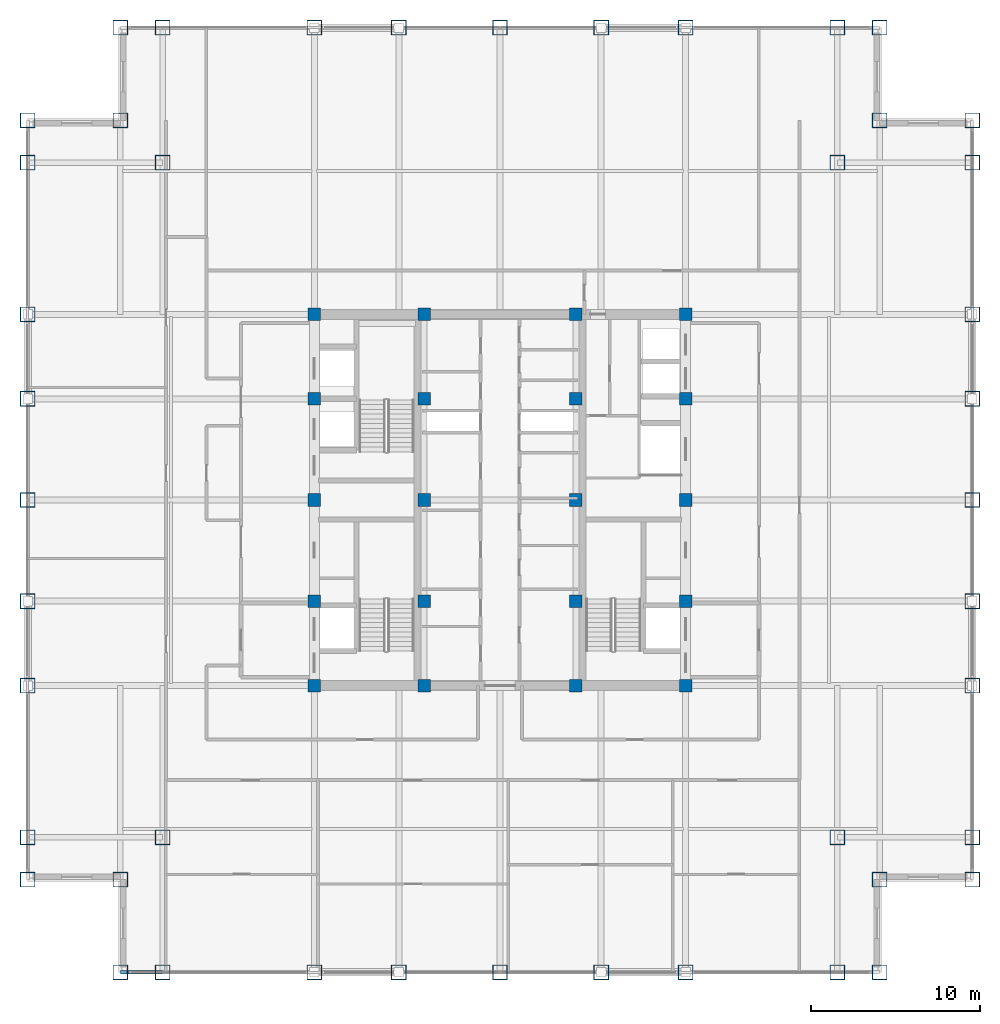
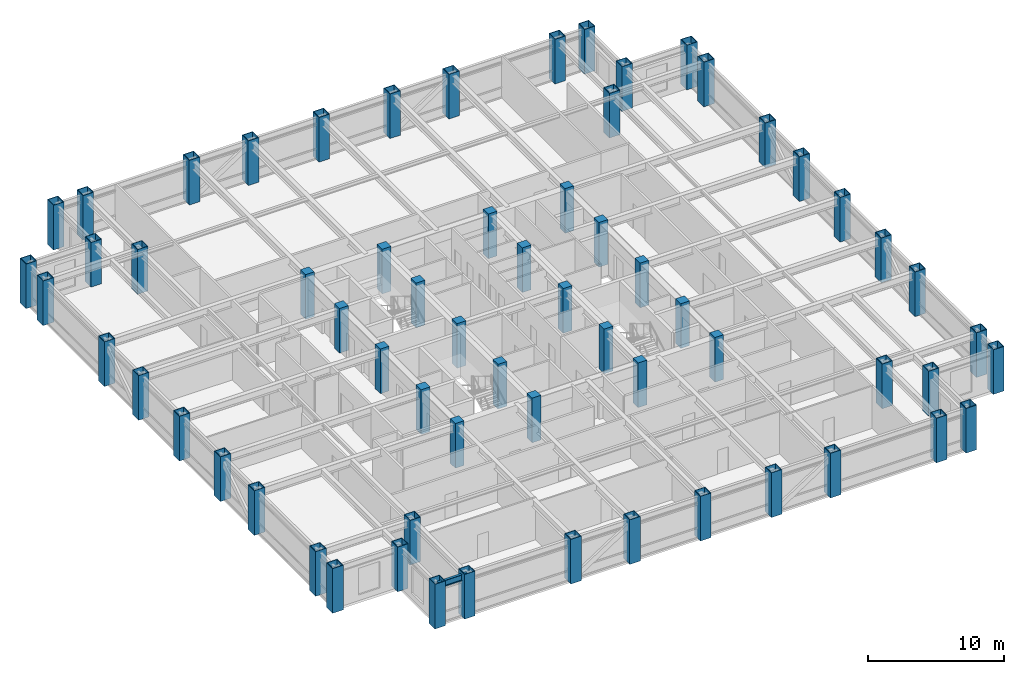
# One storey, part 1 of 22: 64 columns, 1 beam.
"""IFC4 building model written with IfcOpenShell, lengths in metres."""

from ifc_helpers import new_model, si_unit, direction, frame, origin, origin_2d, place, context, subcontext, project, spatial, rectangle, hollow_rectangle, i_section, extrude, source, transform, mapped, material, material_profile, profile_set, type_object, element, save


model = new_model("IFC4")

# Units and contexts
model_context = context("Model", 3, precision=1e-05, world=origin(), true_north=direction((0.0, 1.0)))
body_context = subcontext(model_context, "Body", "Model", "MODEL_VIEW")
ifc_project = project(units=[si_unit("LENGTHUNIT", "METRE"), si_unit("AREAUNIT", "SQUARE_METRE"), si_unit("VOLUMEUNIT", "CUBIC_METRE"), si_unit("PLANEANGLEUNIT", "RADIAN"), si_unit("MASSUNIT", "GRAM", prefix="KILO")], contexts=[model_context])

# Site, building, storey
site_placement = place(None, origin())
site = spatial("IfcSite", under=ifc_project, at=site_placement, CompositionType="ELEMENT")
building_placement = place(site_placement, origin())
building = spatial("IfcBuilding", under=site, at=building_placement, Name="Khorayat Bourse Tower", CompositionType="ELEMENT")
storey_placement = place(building_placement, frame((0.0, 0.0, 293.5)))
storey = spatial("IfcBuildingStorey", under=building, at=storey_placement, Name="L69", CompositionType="ELEMENT", Elevation=293.5)

# Columns
ifc_material_1 = material(Name="Steel EN 10025-4 S460M", Category="steel")
ifc_material_profile_1 = material_profile(ifc_material_1, hollow_rectangle(XDim=0.89990234375, YDim=0.89990234375, WallThickness=0.050048828125, at=origin_2d()), Name="BOX 900x900x50")
ifc_profile_set_1 = profile_set([ifc_material_profile_1], Name="Steel EN 10025-4 S460M")
column_type_1 = type_object("IfcColumnType", Name="COL-TUBE-900", PredefinedType="COLUMN", material=ifc_profile_set_1)
shared_shape_1 = source(origin(), body_context, "Body", "SweptSolid", [
    extrude(hollow_rectangle(XDim=0.89990234375, YDim=0.89990234375, WallThickness=0.050048828125, at=origin_2d()), origin(), (0.0, 0.0, 1.0), 4.0),
])
for number, where, z_axis, x_axis, name in (
    (1, (-28.0, -22.5, 0.0), (0.0, 0.0, 1.0), (1.0, 0.0, 0.0), "L69 Column 001"),
    (2, (-28.0, -20.0, 0.0), (0.0, 0.0, 1.0), (1.0, 0.0, 0.0), "L69 Column 002"),
    (3, (-28.0, -11.0, 0.0), (0.0, 0.0, 1.0), (1.0, 0.0, 0.0), "L69 Column 003"),
    (4, (-28.0, -6.0, 0.0), (0.0, 0.0, 1.0), (1.0, 0.0, 0.0), "L69 Column 004"),
    (5, (-28.0, 0.0, 0.0), (0.0, 0.0, 1.0), (1.0, 0.0, 0.0), "L69 Column 005"),
    (6, (-28.0, 6.0, 0.0), (0.0, 0.0, 1.0), (1.0, 0.0, 0.0), "L69 Column 006"),
    (7, (-28.0, 11.0, 0.0), (0.0, 0.0, 1.0), (1.0, 0.0, 0.0), "L69 Column 007"),
    (8, (-28.0, 20.0, 0.0), (0.0, 0.0, 1.0), (1.0, 0.0, 0.0), "L69 Column 008"),
    (9, (-28.0, 22.5, 0.0), (0.0, 0.0, 1.0), (1.0, 0.0, 0.0), "L69 Column 009"),
    (10, (-22.5, -28.0, 0.0), (0.0, 0.0, 1.0), (1.0, 0.0, 0.0), "L69 Column 010"),
    (11, (-22.5, -22.5, 0.0), (0.0, 0.0, 1.0), (1.0, 0.0, 0.0), "L69 Column 011"),
    (12, (-22.5, 22.5, 0.0), (0.0, 0.0, 1.0), (1.0, 0.0, 0.0), "L69 Column 012"),
    (13, (-22.5, 28.0, 0.0), (0.0, 0.0, 1.0), (1.0, 0.0, 0.0), "L69 Column 013"),
    (14, (-20.0, -28.0, 0.0), (0.0, 0.0, 1.0), (1.0, 0.0, 0.0), "L69 Column 014"),
    (15, (-20.0, -20.0, 0.0), (0.0, 0.0, 1.0), (1.0, 0.0, 0.0), "L69 Column 015"),
    (16, (-20.0, 20.0, 0.0), (0.0, 0.0, 1.0), (1.0, 0.0, 0.0), "L69 Column 016"),
    (17, (-20.0, 28.0, 0.0), (0.0, 0.0, 1.0), (1.0, 0.0, 0.0), "L69 Column 017"),
    (18, (-11.0, -28.0, 0.0), (0.0, 0.0, 1.0), (1.0, 0.0, 0.0), "L69 Column 018"),
    (19, (-11.0, 28.0, 0.0), (0.0, 0.0, 1.0), (1.0, 0.0, 0.0), "L69 Column 024"),
    (20, (-6.0, -28.0, 0.0), (0.0, 0.0, 1.0), (1.0, 0.0, 0.0), "L69 Column 025"),
    (21, (-6.0, 28.0, 0.0), (0.0, 0.0, 1.0), (1.0, 0.0, 0.0), "L69 Column 026"),
    (22, (0.0, -28.0, 0.0), (0.0, 0.0, 1.0), (1.0, 0.0, 0.0), "L69 Column 032"),
    (23, (0.0, 28.0, 0.0), (0.0, 0.0, 1.0), (1.0, 0.0, 0.0), "L69 Column 033"),
    (24, (6.0, -28.0, 0.0), (0.0, 0.0, 1.0), (1.0, 0.0, 0.0), "L69 Column 039"),
    (25, (6.0, 28.0, 0.0), (0.0, 0.0, 1.0), (1.0, 0.0, 0.0), "L69 Column 040"),
    (26, (11.0, -28.0, 0.0), (0.0, 0.0, 1.0), (1.0, 0.0, 0.0), "L69 Column 041"),
    (27, (11.0, 28.0, 0.0), (0.0, 0.0, 1.0), (1.0, 0.0, 0.0), "L69 Column 047"),
    (28, (20.0, -28.0, 0.0), (0.0, 0.0, 1.0), (1.0, 0.0, 0.0), "L69 Column 048"),
    (29, (20.0, -20.0, 0.0), (0.0, 0.0, 1.0), (1.0, 0.0, 0.0), "L69 Column 049"),
    (30, (20.0, 20.0, 0.0), (0.0, 0.0, 1.0), (1.0, 0.0, 0.0), "L69 Column 050"),
    (31, (20.0, 28.0, 0.0), (0.0, 0.0, 1.0), (1.0, 0.0, 0.0), "L69 Column 051"),
    (32, (22.5, -28.0, 0.0), (0.0, 0.0, 1.0), (1.0, 0.0, 0.0), "L69 Column 052"),
    (33, (22.5, -22.5, 0.0), (0.0, 0.0, 1.0), (1.0, 0.0, 0.0), "L69 Column 053"),
    (34, (22.5, 22.5, 0.0), (0.0, 0.0, 1.0), (1.0, 0.0, 0.0), "L69 Column 054"),
    (35, (22.5, 28.0, 0.0), (0.0, 0.0, 1.0), (1.0, 0.0, 0.0), "L69 Column 055"),
    (36, (28.0, -22.5, 0.0), (0.0, 0.0, 1.0), (1.0, 0.0, 0.0), "L69 Column 056"),
    (37, (28.0, -20.0, 0.0), (0.0, 0.0, 1.0), (1.0, 0.0, 0.0), "L69 Column 057"),
    (38, (28.0, -11.0, 0.0), (0.0, 0.0, 1.0), (1.0, 0.0, 0.0), "L69 Column 058"),
    (39, (28.0, -6.0, 0.0), (0.0, 0.0, 1.0), (1.0, 0.0, 0.0), "L69 Column 059"),
    (40, (28.0, 0.0, 0.0), (0.0, 0.0, 1.0), (1.0, 0.0, 0.0), "L69 Column 060"),
    (41, (28.0, 6.0, 0.0), (0.0, 0.0, 1.0), (1.0, 0.0, 0.0), "L69 Column 061"),
    (42, (28.0, 11.0, 0.0), (0.0, 0.0, 1.0), (1.0, 0.0, 0.0), "L69 Column 062"),
    (43, (28.0, 20.0, 0.0), (0.0, 0.0, 1.0), (1.0, 0.0, 0.0), "L69 Column 063"),
    (44, (28.0, 22.5, 0.0), (0.0, 0.0, 1.0), (1.0, 0.0, 0.0), "L69 Column 064"),
):
    element("IfcColumn", number, at=place(storey_placement, frame(where, z_axis=z_axis, x_axis=x_axis)), inside=storey, type_object=column_type_1, Name=name, PredefinedType="COLUMN", context=body_context, shape_type="MappedRepresentation", body=[
        mapped(shared_shape_1, transform((0.0, 0.0, 0.0), scale=1.0)),
    ])
ifc_material_2 = material(Name="Concrete C52/65", Category="concrete")
ifc_material_profile_2 = material_profile(ifc_material_2, rectangle(XDim=0.75, YDim=0.75, at=origin_2d()), Name="RC 750x750")
ifc_profile_set_2 = profile_set([ifc_material_profile_2], Name="Concrete C52/65")
column_type_2 = type_object("IfcColumnType", Name="COL-CORE-750", PredefinedType="COLUMN", material=ifc_profile_set_2)
shared_shape_2 = source(origin(), body_context, "Body", "SweptSolid", [
    extrude(rectangle(XDim=0.75, YDim=0.75, at=origin_2d()), origin(), (0.0, 0.0, 1.0), 4.0),
])
for number, where, z_axis, x_axis, name in (
    (45, (-11.0, -11.0, 0.0), (0.0, 0.0, 1.0), (1.0, 0.0, 0.0), "L69 Column 019"),
    (46, (-11.0, -6.0, 0.0), (0.0, 0.0, 1.0), (1.0, 0.0, 0.0), "L69 Column 020"),
    (47, (-11.0, 0.0, 0.0), (0.0, 0.0, 1.0), (1.0, 0.0, 0.0), "L69 Column 021"),
    (48, (-11.0, 6.0, 0.0), (0.0, 0.0, 1.0), (1.0, 0.0, 0.0), "L69 Column 022"),
    (49, (-11.0, 11.0, 0.0), (0.0, 0.0, 1.0), (1.0, 0.0, 0.0), "L69 Column 023"),
    (50, (-4.5, -11.0, 0.0), (0.0, 0.0, 1.0), (1.0, 0.0, 0.0), "L69 Column 027"),
    (51, (-4.5, -6.0, 0.0), (0.0, 0.0, 1.0), (1.0, 0.0, 0.0), "L69 Column 028"),
    (52, (-4.5, 0.0, 0.0), (0.0, 0.0, 1.0), (1.0, 0.0, 0.0), "L69 Column 029"),
    (53, (-4.5, 6.0, 0.0), (0.0, 0.0, 1.0), (1.0, 0.0, 0.0), "L69 Column 030"),
    (54, (-4.5, 11.0, 0.0), (0.0, 0.0, 1.0), (1.0, 0.0, 0.0), "L69 Column 031"),
    (55, (4.5, -11.0, 0.0), (0.0, 0.0, 1.0), (1.0, 0.0, 0.0), "L69 Column 034"),
    (56, (4.5, -6.0, 0.0), (0.0, 0.0, 1.0), (1.0, 0.0, 0.0), "L69 Column 035"),
    (57, (4.5, 0.0, 0.0), (0.0, 0.0, 1.0), (1.0, 0.0, 0.0), "L69 Column 036"),
    (58, (4.5, 6.0, 0.0), (0.0, 0.0, 1.0), (1.0, 0.0, 0.0), "L69 Column 037"),
    (59, (4.5, 11.0, 0.0), (0.0, 0.0, 1.0), (1.0, 0.0, 0.0), "L69 Column 038"),
    (60, (11.0, -11.0, 0.0), (0.0, 0.0, 1.0), (1.0, 0.0, 0.0), "L69 Column 042"),
    (61, (11.0, -6.0, 0.0), (0.0, 0.0, 1.0), (1.0, 0.0, 0.0), "L69 Column 043"),
    (62, (11.0, 0.0, 0.0), (0.0, 0.0, 1.0), (1.0, 0.0, 0.0), "L69 Column 044"),
    (63, (11.0, 6.0, 0.0), (0.0, 0.0, 1.0), (1.0, 0.0, 0.0), "L69 Column 045"),
    (64, (11.0, 11.0, 0.0), (0.0, 0.0, 1.0), (1.0, 0.0, 0.0), "L69 Column 046"),
):
    element("IfcColumn", number, at=place(storey_placement, frame(where, z_axis=z_axis, x_axis=x_axis)), inside=storey, type_object=column_type_2, Name=name, PredefinedType="COLUMN", context=body_context, shape_type="MappedRepresentation", body=[
        mapped(shared_shape_2, transform((0.0, 0.0, 0.0), scale=1.0)),
    ])

# Beam
ifc_material_3 = material(Name="Steel ASTM A992 Grade 50", Category="steel")
ifc_material_profile_3 = material_profile(ifc_material_3, i_section(OverallWidth=0.214111328125, OverallDepth=0.549072265625, WebThickness=0.0146484375, FlangeThickness=0.023681640625, FilletRadius=0.013916015625, at=origin_2d()), Name="W530X138")
ifc_profile_set_3 = profile_set([ifc_material_profile_3], Name="Steel ASTM A992 Grade 50")
beam_type = type_object("IfcBeamType", Name="BM-SPAN-530", PredefinedType="SPANDREL", material=ifc_profile_set_3)
shared_shape_3 = source(origin(), body_context, "Body", "SweptSolid", [
    extrude(i_section(OverallWidth=0.214111328125, OverallDepth=0.549072265625, WebThickness=0.0146484375, FlangeThickness=0.023681640625, FilletRadius=0.013916015625, at=origin_2d()), origin(), (0.0, 0.0, 1.0), 2.5),
])
beam_placement = place(storey_placement, frame((-22.5, -28.0, 3.505615234375), z_axis=(1.0, 0.0, 0.0), x_axis=(0.0, 1.0, 0.0)))
element("IfcBeam", 65, at=beam_placement, inside=storey, type_object=beam_type, Name="L69 BM-SPAN-530 BM-L69-SPN-024", PredefinedType="SPANDREL", context=body_context, shape_type="MappedRepresentation", body=[
    mapped(shared_shape_3, transform((0.0, 0.0, 0.0), scale=1.0)),
])

save(model, "model.ifc")
